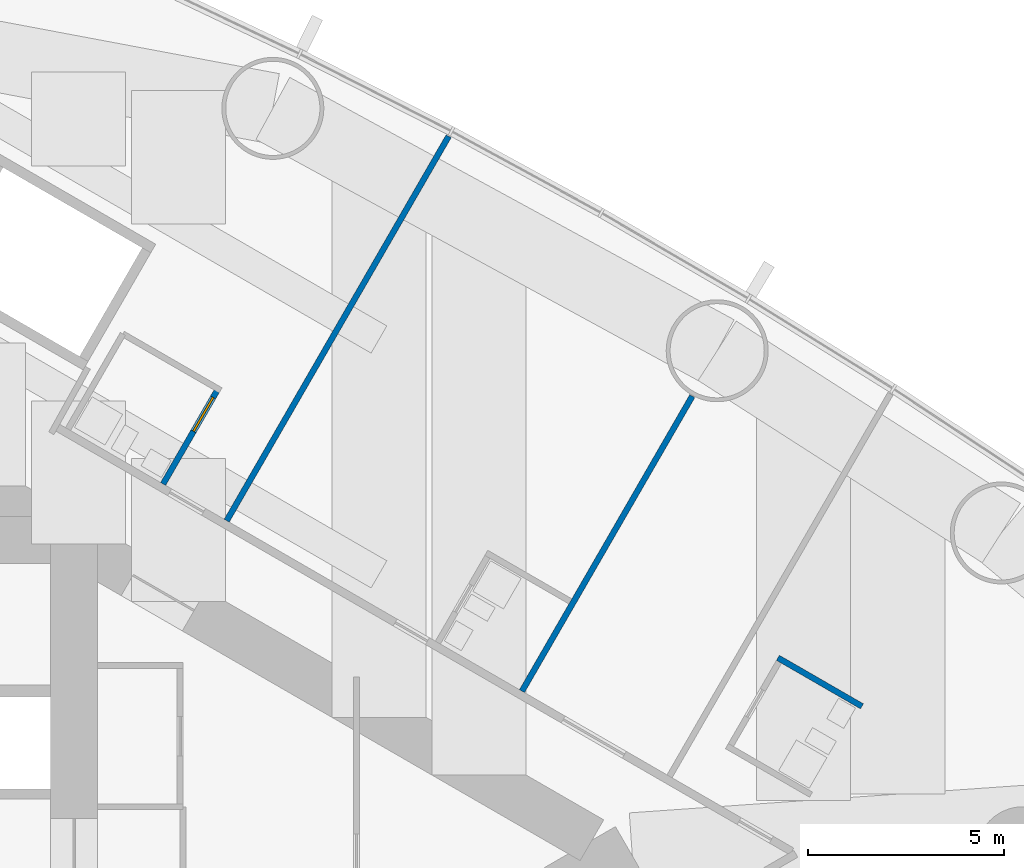
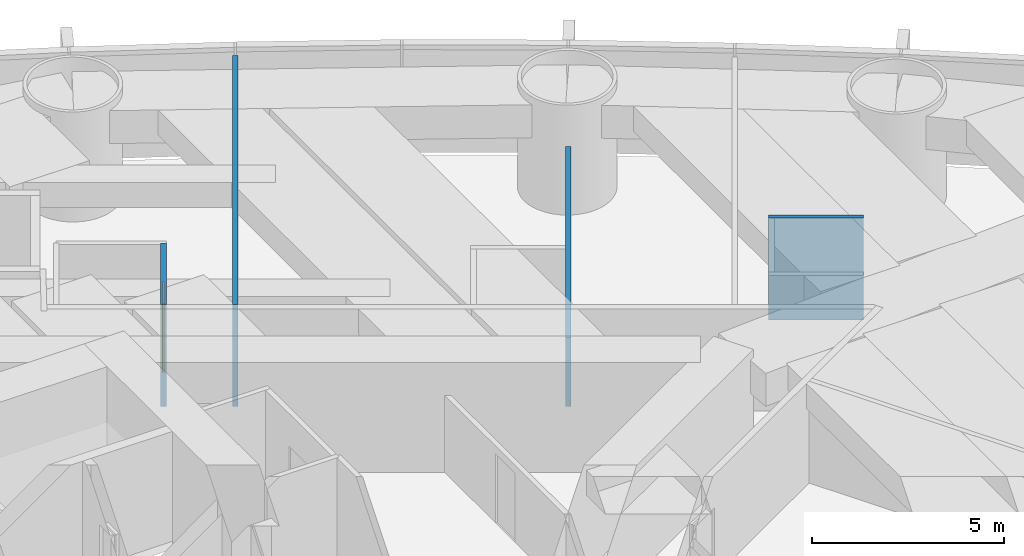
# One storey, part 16 of 19: 4 walls, 1 door, 1 opening.
"""IFC4 building model written with IfcOpenShell, lengths in metres."""

from ifc_helpers import new_model, si_unit, direction, frame, frame_2d, origin, place, context, subcontext, project, spatial, rectangle, extrude, material, layer, layer_set, type_object, element, fill, save


model = new_model("IFC4")

# Units and contexts
model_context = context("Model", 3, precision=1e-05, world=origin(), true_north=direction((0.0, 1.0)))
body_context = subcontext(model_context, "Body", "Model", "MODEL_VIEW")
ifc_project = project(units=[si_unit("LENGTHUNIT", "METRE"), si_unit("AREAUNIT", "SQUARE_METRE"), si_unit("VOLUMEUNIT", "CUBIC_METRE"), si_unit("PLANEANGLEUNIT", "RADIAN"), si_unit("MASSUNIT", "GRAM", prefix="KILO")], contexts=[model_context])

# Site, building, storey
site_placement = place(None, origin())
site = spatial("IfcSite", under=ifc_project, at=site_placement, CompositionType="ELEMENT")
building_placement = place(site_placement, origin())
building = spatial("IfcBuilding", under=site, at=building_placement, Name="Lancet Gate Hotel", CompositionType="ELEMENT")
storey_placement = place(building_placement, frame((0.0, 0.0, 132.60009765625)))
storey = spatial("IfcBuildingStorey", under=building, at=storey_placement, Name="L35", CompositionType="ELEMENT", Elevation=132.60009765625)

# Wall
ifc_material_1 = material(Name="Moisture resistant board partition")
ifc_layer_1 = layer(ifc_material_1, 0.14990234375)
ifc_layer_set_1 = layer_set([ifc_layer_1], Name="Bathroom wall 150")
wall_type_1 = type_object("IfcWallType", Name="Bathroom wall 150", PredefinedType="PARTITIONING", material=ifc_layer_set_1)
wall_1_placement = place(storey_placement, frame((55.2451171875, 4.998291015625, 0.0), z_axis=(0.0, 0.0, 1.0), x_axis=(0.866006523861, -0.500032699561, 0.0)))
element("IfcWall", 1, at=wall_1_placement, inside=storey, type_object=wall_type_1, Name="T2 bathroom wall 150 L35", PredefinedType="PARTITIONING", context=body_context, shape_type="SweptSolid", body=[
    extrude(rectangle(XDim=2.474853515625, YDim=0.14990234375, at=frame_2d((1.2373046875, 0.0))), origin(), (0.0, 0.0, 1.0), 3.25),
])

# Wall, opening, door
wall_2_placement = place(storey_placement, frame((39.56884765625, 9.43017578125, 0.0), z_axis=(0.0, 0.0, 1.0), x_axis=(0.49998411664, 0.866034573852, 0.0)))
wall_2 = element("IfcWall", 2, at=wall_2_placement, inside=storey, type_object=wall_type_1, Name="T2 bathroom wall 150 L35", PredefinedType="PARTITIONING", context=body_context, shape_type="SweptSolid", body=[
    extrude(rectangle(XDim=2.7998046875, YDim=0.14990234375, at=frame_2d((1.39990234375, 0.0))), origin(), (0.0, 0.0, 1.0), 3.25),
])
opening_placement = place(wall_2_placement, frame((1.550048828125, 0.0, 0.0)))
opening = element("IfcOpeningElement", 3, at=opening_placement, cuts=wall_2, Name="Opening 3562-B", PredefinedType="OPENING", context=body_context, shape_type="SweptSolid", body=[
    extrude(rectangle(XDim=1.0, YDim=2.199951171875, at=frame_2d((0.5, 1.10009765625))), frame((0.0, 0.0849609375, 0.0), z_axis=(0.0, -1.0, 0.0), x_axis=(1.0, 0.0, 0.0)), (0.0, 0.0, 1.0), 0.169921875),
])
ifc_material_2 = material(Name="Timber door set", Category="wood")
door_type = type_object("IfcDoorType", Name="Accessible en-suite door 1000", OperationType="SINGLE_SWING_RIGHT", PredefinedType="DOOR", material=ifc_material_2)
door_placement = place(opening_placement, origin())
door = element("IfcDoor", 4, at=door_placement, inside=storey, type_object=door_type, Name="3562-B", OperationType="SINGLE_SWING_RIGHT", OverallHeight=2.199951171875, OverallWidth=1.0, PredefinedType="DOOR", context=body_context, shape_type="SweptSolid", body=[
    extrude(rectangle(XDim=1.0, YDim=2.199951171875, at=frame_2d((0.5, 1.10009765625))), frame((0.0, 0.02490234375, 0.0), z_axis=(0.0, -1.0, 0.0), x_axis=(1.0, 0.0, 0.0)), (0.0, 0.0, 1.0), 0.050048828125),
])
fill(opening, door)

# Walls
ifc_material_3 = material(Name="Gypsum board partition")
ifc_layer_2 = layer(ifc_material_3, 0.14990234375)
ifc_layer_set_2 = layer_set([ifc_layer_2], Name="Party wall 150")
wall_type_2 = type_object("IfcWallType", Name="Party wall 150", PredefinedType="PARTITIONING", material=ifc_layer_set_2)
wall_3_placement = place(storey_placement, frame((41.18994140625, 8.494140625, 0.0), z_axis=(0.0, 0.0, 1.0), x_axis=(0.49999258054, 0.866029687369, 0.0)))
element("IfcWall", 5, at=wall_3_placement, inside=storey, type_object=wall_type_2, Name="T2 party wall 150 L35", PredefinedType="PARTITIONING", context=body_context, shape_type="SweptSolid", body=[
    extrude(rectangle(XDim=11.318115234375, YDim=0.14990234375, at=frame_2d((5.6591796875, 0.0))), origin(), (0.0, 0.0, 1.0), 3.25),
])
wall_4_placement = place(storey_placement, frame((48.718505859375, 4.1474609375, 0.0), z_axis=(0.0, 0.0, 1.0), x_axis=(0.499993328235, 0.866029255696, 0.0)))
element("IfcWall", 6, at=wall_4_placement, inside=storey, type_object=wall_type_2, Name="T2 party wall 150 L35", PredefinedType="PARTITIONING", context=body_context, shape_type="SweptSolid", body=[
    extrude(rectangle(XDim=8.68603515625, YDim=0.14990234375, at=frame_2d((4.343017578125, 0.0))), origin(), (0.0, 0.0, 1.0), 2.199951171875),
])

save(model, "model.ifc")
